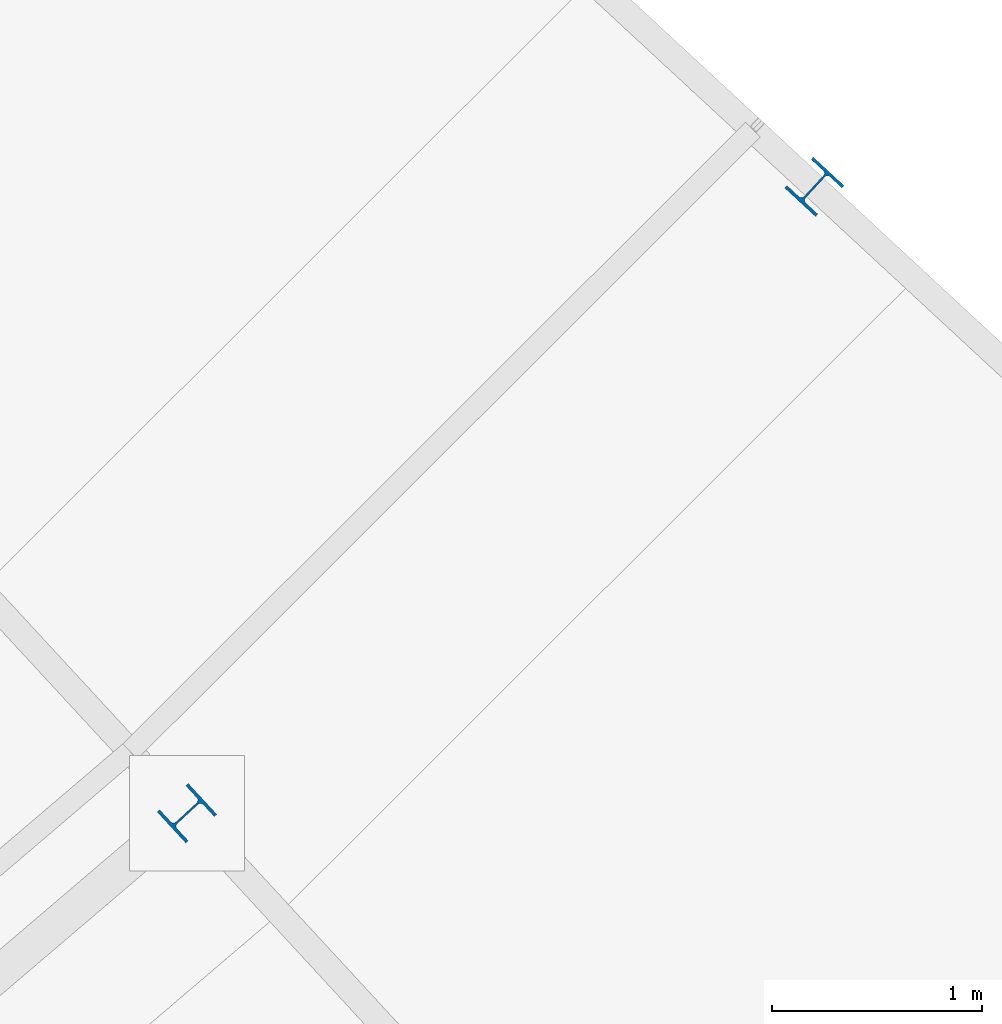
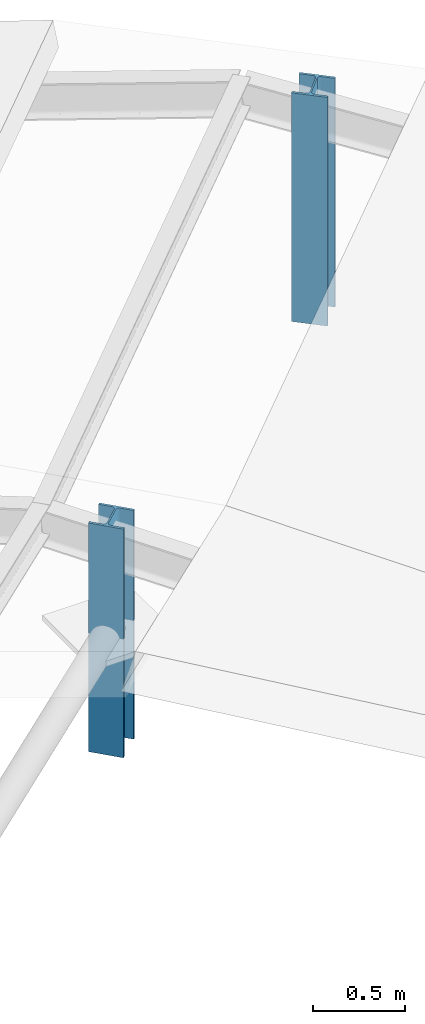
# One storey, part 5 of 50: 2 columns.
"""IFC4 building model written with IfcOpenShell, lengths in metres."""

from ifc_helpers import new_model, si_unit, direction, frame, origin, origin_2d, place, context, subcontext, project, spatial, i_section, extrude, material, material_profile, profile_set, type_object, element, save


model = new_model("IFC4")

# Units and contexts
model_context = context("Model", 3, precision=1e-05, world=origin(), true_north=direction((0.0, 1.0)))
body_context = subcontext(model_context, "Body", "Model", "MODEL_VIEW")
ifc_project = project(units=[si_unit("LENGTHUNIT", "METRE"), si_unit("AREAUNIT", "SQUARE_METRE"), si_unit("VOLUMEUNIT", "CUBIC_METRE"), si_unit("PLANEANGLEUNIT", "RADIAN"), si_unit("MASSUNIT", "GRAM", prefix="KILO")], contexts=[model_context])

# Site, building, storey
site_placement = place(None, origin())
site = spatial("IfcSite", under=ifc_project, at=site_placement, CompositionType="ELEMENT")
building_placement = place(site_placement, origin())
building = spatial("IfcBuilding", under=site, at=building_placement, Name="Zimvara Arc Housing Community", CompositionType="ELEMENT")
storey_placement = place(building_placement, frame((0.0, 0.0, 26.699951171875)))
storey = spatial("IfcBuildingStorey", under=building, at=storey_placement, Name="L08", CompositionType="ELEMENT", Elevation=26.699951171875)

# Columns
ifc_material = material(Name="Steel S355", Category="steel")
ifc_material_profile = material_profile(ifc_material, i_section(OverallWidth=0.199951171875, OverallDepth=0.199951171875, WebThickness=0.009033203125, FlangeThickness=0.014892578125, FilletRadius=0.01806640625, at=origin_2d()), Name="HEB 200")
ifc_profile_set = profile_set([ifc_material_profile], Name="Steel S355")
column_type = type_object("IfcColumnType", Name="COL-ST-HEB200", PredefinedType="COLUMN", material=ifc_profile_set)
for number, where, z_axis, x_axis, name in (
    (1, (162.465087890625, 70.321533203125, 0.0), (0.0, 0.0, 1.0), (0.678159669868, -0.73491459515, 0.0), "col:blkD:L08:ribpost2:g9"),
    (2, (165.45458984375, 73.30615234375, 0.0), (0.0, 0.0, 1.0), (0.733729864503, -0.679441304262, 0.0), "col:blkD:L08:ribpost2:g10"),
):
    element("IfcColumn", number, at=place(storey_placement, frame(where, z_axis=z_axis, x_axis=x_axis)), inside=storey, type_object=column_type, Name=name, PredefinedType="COLUMN", context=body_context, shape_type="SweptSolid", body=[
        extrude(i_section(OverallWidth=0.199951171875, OverallDepth=0.199951171875, WebThickness=0.009033203125, FlangeThickness=0.014892578125, FilletRadius=0.01806640625, at=origin_2d()), origin(), (0.0, 0.0, 1.0), 1.51513671875),
    ])

save(model, "model.ifc")
